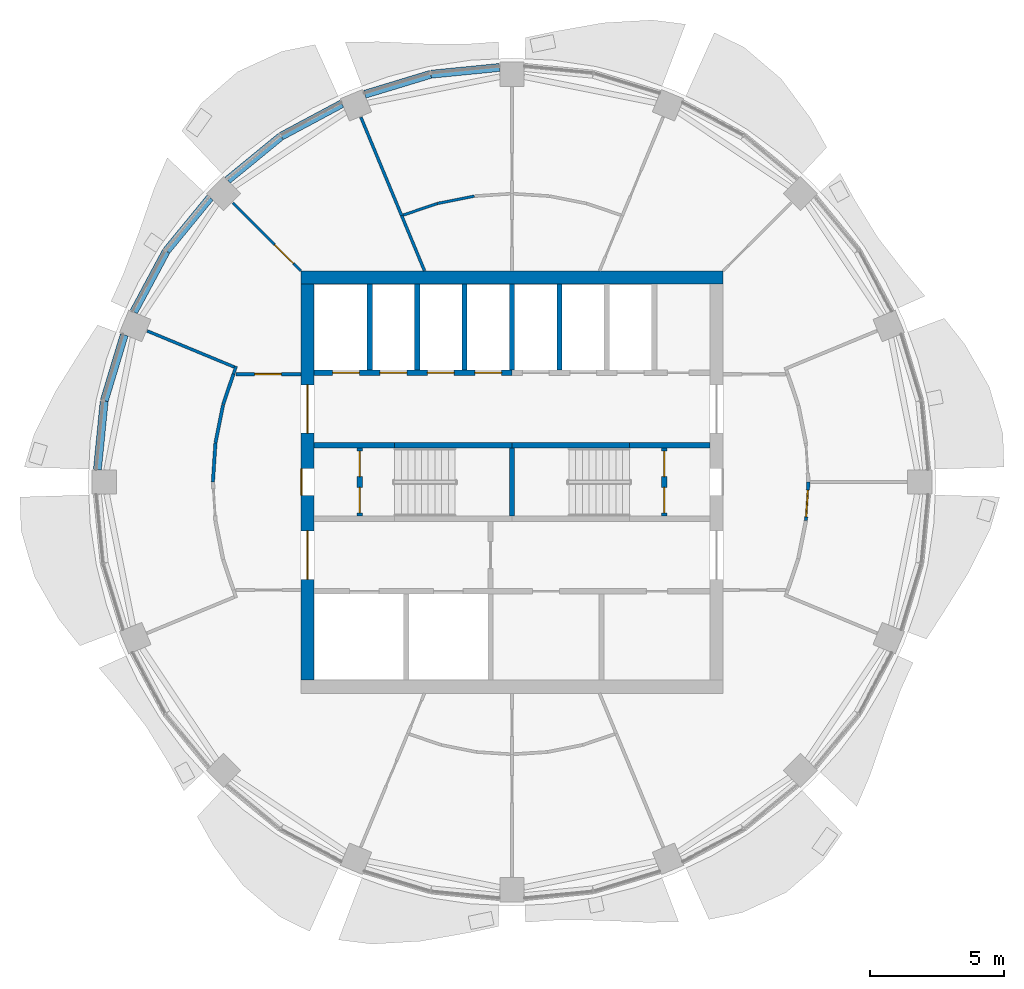
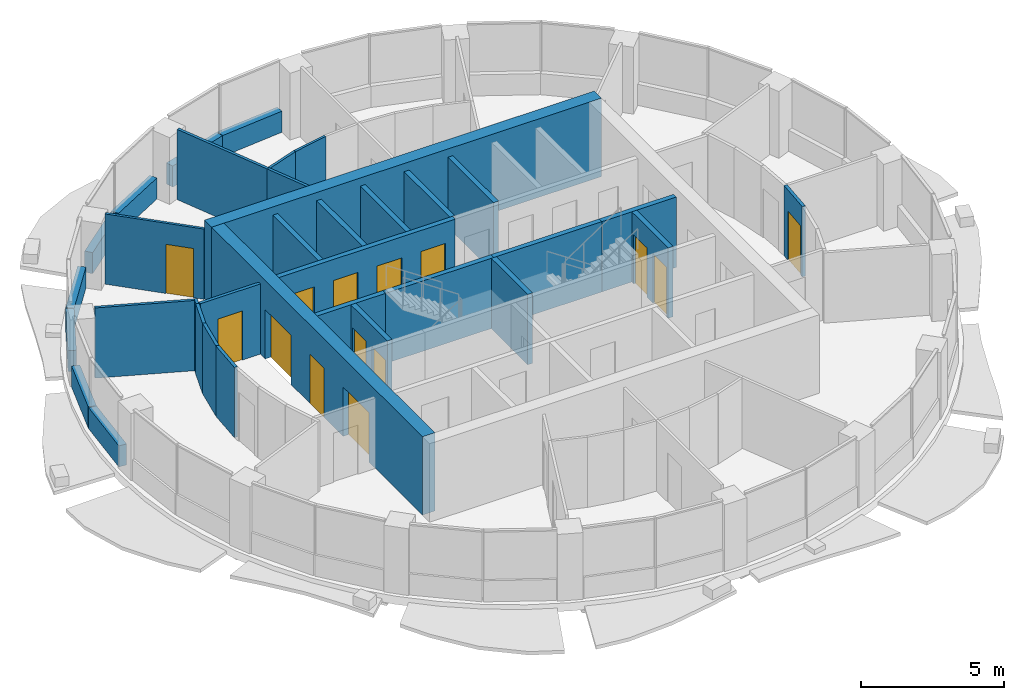
# One storey, part 8 of 14: 35 walls, 14 doors, 14 openings.
"""IFC4 building model written with IfcOpenShell, lengths in metres."""

from ifc_helpers import new_model, si_unit, direction, frame, frame_2d, origin, place, context, subcontext, project, spatial, rectangle, extrude, material, layer, layer_set, type_object, element, fill, save


model = new_model("IFC4")

# Units and contexts
model_context = context("Model", 3, precision=1e-05, world=origin(), true_north=direction((0.0, 1.0)))
body_context = subcontext(model_context, "Body", "Model", "MODEL_VIEW")
ifc_project = project(units=[si_unit("LENGTHUNIT", "METRE"), si_unit("AREAUNIT", "SQUARE_METRE"), si_unit("VOLUMEUNIT", "CUBIC_METRE"), si_unit("PLANEANGLEUNIT", "RADIAN"), si_unit("MASSUNIT", "GRAM", prefix="KILO")], contexts=[model_context])

# Site, building, storey
site_placement = place(None, origin())
site = spatial("IfcSite", under=ifc_project, at=site_placement, CompositionType="ELEMENT")
building_placement = place(site_placement, origin())
building = spatial("IfcBuilding", under=site, at=building_placement, Name="Polderwave Tower", CompositionType="ELEMENT")
storey_placement = place(building_placement, frame((0.0, 0.0, 221.14990234375)))
storey = spatial("IfcBuildingStorey", under=building, at=storey_placement, Name="L60", CompositionType="ELEMENT", Elevation=221.14990234375)

# Wall
ifc_material_1 = material(Name="Concrete C60/75", Category="concrete")
ifc_layer_1 = layer(ifc_material_1, 0.5)
ifc_layer_set_1 = layer_set([ifc_layer_1], Name="CORE WALL 500 C60/75")
wall_type_1 = type_object("IfcWallType", Name="CORE WALL 500 C60/75", PredefinedType="SHEAR", material=ifc_layer_set_1)
wall_1_placement = place(storey_placement, frame((-7.8740234375, 7.6240234375, 0.0), z_axis=(0.0, 0.0, 1.0), x_axis=(1.0, 0.0, 0.0)))
element("IfcWall", 1, at=wall_1_placement, inside=storey, type_object=wall_type_1, Name="ST-CORE-L60-N", PredefinedType="SHEAR", context=body_context, shape_type="SweptSolid", body=[
    extrude(rectangle(XDim=15.748046875, YDim=0.5, at=frame_2d((7.8740234375, 0.0))), origin(), (0.0, 0.0, 1.0), 3.35009765625),
])

# Wall, openings, doors
wall_2_placement = place(storey_placement, frame((-7.6240234375, -7.3740234375, 0.0), z_axis=(0.0, 0.0, 1.0), x_axis=(0.0, 1.0, 0.0)))
wall_2 = element("IfcWall", 2, at=wall_2_placement, inside=storey, type_object=wall_type_1, Name="ST-CORE-L60-W", PredefinedType="SHEAR", context=body_context, shape_type="SweptSolid", body=[
    extrude(rectangle(XDim=14.748046875, YDim=0.5, at=frame_2d((7.3740234375, 0.0))), origin(), (0.0, 0.0, 1.0), 3.35009765625),
])
opening_1_placement = place(wall_2_placement, frame((6.8740234375, 0.0, 0.0)))
opening_1 = element("IfcOpeningElement", 3, at=opening_1_placement, cuts=wall_2, Name="Opening L60-D18", PredefinedType="OPENING", context=body_context, shape_type="SweptSolid", body=[
    extrude(rectangle(XDim=1.0, YDim=2.10009765625, at=frame_2d((0.5, 1.050048828125))), frame((0.0, 0.260009765625, 0.0), z_axis=(0.0, -1.0, 0.0), x_axis=(1.0, 0.0, 0.0)), (0.0, 0.0, 1.0), 0.52001953125),
])
opening_2_placement = place(wall_2_placement, frame((3.74951171875, 0.0, 0.0)))
opening_2 = element("IfcOpeningElement", 4, at=opening_2_placement, cuts=wall_2, Name="Opening L60-D19", PredefinedType="OPENING", context=body_context, shape_type="SweptSolid", body=[
    extrude(rectangle(XDim=1.800048828125, YDim=2.10009765625, at=frame_2d((0.89990234375, 1.050048828125))), frame((0.0, 0.260009765625, 0.0), z_axis=(0.0, -1.0, 0.0), x_axis=(1.0, 0.0, 0.0)), (0.0, 0.0, 1.0), 0.52001953125),
])
opening_3_placement = place(wall_2_placement, frame((9.198486328125, 0.0, 0.0)))
opening_3 = element("IfcOpeningElement", 5, at=opening_3_placement, cuts=wall_2, Name="Opening L60-D20", PredefinedType="OPENING", context=body_context, shape_type="SweptSolid", body=[
    extrude(rectangle(XDim=1.800048828125, YDim=2.10009765625, at=frame_2d((0.89990234375, 1.050048828125))), frame((0.0, 0.260009765625, 0.0), z_axis=(0.0, -1.0, 0.0), x_axis=(1.0, 0.0, 0.0)), (0.0, 0.0, 1.0), 0.52001953125),
])
ifc_material_2 = material(Name="Steel fire door", Category="steel")
door_type_1 = type_object("IfcDoorType", Name="Lobby entry door pair 1800", OperationType="DOUBLE_DOOR_SINGLE_SWING", PredefinedType="DOOR", material=ifc_material_2)
door_1_placement = place(opening_2_placement, origin())
door_1 = element("IfcDoor", 6, at=door_1_placement, inside=storey, type_object=door_type_1, Name="Fire-fighting lobby entry door", OperationType="DOUBLE_DOOR_SINGLE_SWING", OverallHeight=2.10009765625, OverallWidth=1.800048828125, PredefinedType="DOOR", context=body_context, shape_type="SweptSolid", body=[
    extrude(rectangle(XDim=1.800048828125, YDim=2.10009765625, at=frame_2d((0.89990234375, 1.050048828125))), frame((0.0, 0.02490234375, 0.0), z_axis=(0.0, -1.0, 0.0), x_axis=(1.0, 0.0, 0.0)), (0.0, 0.0, 1.0), 0.050048828125),
])
fill(opening_2, door_1)
door_2_placement = place(opening_3_placement, origin())
door_2 = element("IfcDoor", 7, at=door_2_placement, inside=storey, type_object=door_type_1, Name="North lobby entry door", OperationType="DOUBLE_DOOR_SINGLE_SWING", OverallHeight=2.10009765625, OverallWidth=1.800048828125, PredefinedType="DOOR", context=body_context, shape_type="SweptSolid", body=[
    extrude(rectangle(XDim=1.800048828125, YDim=2.10009765625, at=frame_2d((0.89990234375, 1.050048828125))), frame((0.0, 0.02490234375, 0.0), z_axis=(0.0, -1.0, 0.0), x_axis=(1.0, 0.0, 0.0)), (0.0, 0.0, 1.0), 0.050048828125),
])
fill(opening_3, door_2)
door_type_2 = type_object("IfcDoorType", Name="Stair door 1000", OperationType="NOTDEFINED", PredefinedType="DOOR", material=ifc_material_2)
door_3_placement = place(opening_1_placement, origin())
door_3 = element("IfcDoor", 8, at=door_3_placement, inside=storey, type_object=door_type_2, Name="Stair A entry door", OperationType="SINGLE_SWING_RIGHT", OverallHeight=2.10009765625, OverallWidth=1.0, PredefinedType="DOOR", context=body_context, shape_type="SweptSolid", body=[
    extrude(rectangle(XDim=1.0, YDim=2.10009765625, at=frame_2d((0.5, 1.050048828125))), frame((0.0, 0.25, 0.0), z_axis=(0.0, -1.0, 0.0), x_axis=(1.0, 0.0, 0.0)), (0.0, 0.0, 1.0), 0.050048828125),
])
fill(opening_1, door_3)

# Walls
ifc_material_3 = material(Name="Concrete C50/60 (board-marked)", Category="concrete")
ifc_layer_2 = layer(ifc_material_3, 0.300048828125)
ifc_layer_set_2 = layer_set([ifc_layer_2], Name="Concrete spandrel upstand C50/60")
wall_type_2 = type_object("IfcWallType", Name="Concrete spandrel upstand C50/60", PredefinedType="SOLIDWALL", material=ifc_layer_set_2)
wall_3_placement = place(storey_placement, frame((-0.4638671875, 15.45458984375, 0.0), z_axis=(0.0, 0.0, 1.0), x_axis=(-0.995173293352, -0.09813315545, 0.0)))
element("IfcWall", 9, at=wall_3_placement, inside=storey, type_object=wall_type_2, Name="Spandrel L60 5a", PredefinedType="SOLIDWALL", context=body_context, shape_type="SweptSolid", body=[
    extrude(rectangle(XDim=2.5576171875, YDim=0.300048828125, at=frame_2d((1.27880859375, 0.0))), origin(), (0.0, 0.0, 1.0), 0.900146484375),
])
wall_4_placement = place(storey_placement, frame((-3.038330078125, 15.197509765625, 0.0), z_axis=(0.0, 0.0, 1.0), x_axis=(-0.956960147557, -0.290219358397, 0.0)))
element("IfcWall", 10, at=wall_4_placement, inside=storey, type_object=wall_type_2, Name="Spandrel L60 5b", PredefinedType="SOLIDWALL", context=body_context, shape_type="SweptSolid", body=[
    extrude(rectangle(XDim=2.557373046875, YDim=0.300048828125, at=frame_2d((1.27880859375, 0.0))), origin(), (0.0, 0.0, 1.0), 0.900146484375),
])
wall_5_placement = place(storey_placement, frame((-6.34326171875, 14.099853515625, 0.0), z_axis=(0.0, 0.0, 1.0), x_axis=(-0.881810499649, -0.471603904468, 0.0)))
element("IfcWall", 11, at=wall_5_placement, inside=storey, type_object=wall_type_2, Name="Spandrel L60 6a", PredefinedType="SOLIDWALL", context=body_context, shape_type="SweptSolid", body=[
    extrude(rectangle(XDim=2.556884765625, YDim=0.300048828125, at=frame_2d((1.2783203125, 0.0))), origin(), (0.0, 0.0, 1.0), 0.900146484375),
])
for number, where, z_axis, x_axis, name in (
    (12, (-8.62255859375, 12.87744140625, 0.0), (0.0, 0.0, 1.0), (-0.773259366149, -0.634089861662, 0.0), "Spandrel L60 6b"),
    (13, (-11.255615234375, 10.600341796875, 0.0), (0.0, 0.0, 1.0), (-0.634089861662, -0.773259366149, 0.0), "Spandrel L60 7a"),
):
    element("IfcWall", number, at=place(storey_placement, frame(where, z_axis=z_axis, x_axis=x_axis)), inside=storey, type_object=wall_type_2, Name=name, PredefinedType="SOLIDWALL", context=body_context, shape_type="SweptSolid", body=[
        extrude(rectangle(XDim=2.5576171875, YDim=0.300048828125, at=frame_2d((1.27880859375, 0.0))), origin(), (0.0, 0.0, 1.0), 0.900146484375),
    ])
wall_6_placement = place(storey_placement, frame((-12.89404296875, 8.597900390625, 0.0), z_axis=(0.0, 0.0, 1.0), x_axis=(-0.471603904468, -0.881810499649, 0.0)))
element("IfcWall", 14, at=wall_6_placement, inside=storey, type_object=wall_type_2, Name="Spandrel L60 7b", PredefinedType="SOLIDWALL", context=body_context, shape_type="SweptSolid", body=[
    extrude(rectangle(XDim=2.556884765625, YDim=0.300048828125, at=frame_2d((1.2783203125, 0.0))), origin(), (0.0, 0.0, 1.0), 0.900146484375),
])
wall_7_placement = place(storey_placement, frame((-14.455322265625, 5.485595703125, 0.0), z_axis=(0.0, 0.0, 1.0), x_axis=(-0.290219358397, -0.956960147557, 0.0)))
element("IfcWall", 15, at=wall_7_placement, inside=storey, type_object=wall_type_2, Name="Spandrel L60 8a", PredefinedType="SOLIDWALL", context=body_context, shape_type="SweptSolid", body=[
    extrude(rectangle(XDim=2.557373046875, YDim=0.300048828125, at=frame_2d((1.27880859375, 0.0))), origin(), (0.0, 0.0, 1.0), 0.900146484375),
])
wall_8_placement = place(storey_placement, frame((-15.20361328125, 3.009033203125, 0.0), z_axis=(0.0, 0.0, 1.0), x_axis=(-0.09813315545, -0.995173293352, 0.0)))
element("IfcWall", 16, at=wall_8_placement, inside=storey, type_object=wall_type_2, Name="Spandrel L60 8b", PredefinedType="SOLIDWALL", context=body_context, shape_type="SweptSolid", body=[
    extrude(rectangle(XDim=2.5576171875, YDim=0.300048828125, at=frame_2d((1.27880859375, 0.0))), origin(), (0.0, 0.0, 1.0), 0.900146484375),
])

# Wall, openings, doors
ifc_material_4 = material(Name="Gypsum board partition")
ifc_layer_3 = layer(ifc_material_4, 0.199951171875)
ifc_layer_set_3 = layer_set([ifc_layer_3], Name="Core room partition 200")
wall_type_3 = type_object("IfcWallType", Name="Core room partition 200", PredefinedType="PARTITIONING", material=ifc_layer_set_3)
wall_9_placement = place(storey_placement, frame((-5.674072265625, -1.27490234375, 0.0), z_axis=(0.0, 0.0, 1.0), x_axis=(0.0, 1.0, 0.0)))
wall_9 = element("IfcWall", 17, at=wall_9_placement, inside=storey, type_object=wall_type_3, Name="L60 smoke lobby wall A", PredefinedType="PARTITIONING", context=body_context, shape_type="SweptSolid", body=[
    extrude(rectangle(XDim=2.5498046875, YDim=0.199951171875, at=frame_2d((1.27490234375, 0.0))), origin(), (0.0, 0.0, 1.0), 3.0),
])
opening_4_placement = place(wall_9_placement, frame((0.125, 0.0, 0.0)))
opening_4 = element("IfcOpeningElement", 18, at=opening_4_placement, cuts=wall_9, Name="Opening L60-D10", PredefinedType="OPENING", context=body_context, shape_type="SweptSolid", body=[
    extrude(rectangle(XDim=0.949951171875, YDim=2.10009765625, at=frame_2d((0.47509765625, 1.050048828125))), frame((0.0, 0.10986328125, 0.0), z_axis=(0.0, -1.0, 0.0), x_axis=(1.0, 0.0, 0.0)), (0.0, 0.0, 1.0), 0.219970703125),
])
opening_5_placement = place(wall_9_placement, frame((1.47509765625, 0.0, 0.0)))
opening_5 = element("IfcOpeningElement", 19, at=opening_5_placement, cuts=wall_9, Name="Opening L60-D11", PredefinedType="OPENING", context=body_context, shape_type="SweptSolid", body=[
    extrude(rectangle(XDim=0.949951171875, YDim=2.10009765625, at=frame_2d((0.47509765625, 1.050048828125))), frame((0.0, 0.10986328125, 0.0), z_axis=(0.0, -1.0, 0.0), x_axis=(1.0, 0.0, 0.0)), (0.0, 0.0, 1.0), 0.219970703125),
])
door_type_3 = type_object("IfcDoorType", Name="Smoke lobby door 950", OperationType="NOTDEFINED", PredefinedType="DOOR", material=ifc_material_2)
door_4_placement = place(opening_4_placement, origin())
door_4 = element("IfcDoor", 20, at=door_4_placement, inside=storey, type_object=door_type_3, Name="Stair A smoke lobby inner door", OperationType="SINGLE_SWING_LEFT", OverallHeight=2.10009765625, OverallWidth=0.949951171875, PredefinedType="DOOR", context=body_context, shape_type="SweptSolid", body=[
    extrude(rectangle(XDim=0.949951171875, YDim=2.10009765625, at=frame_2d((0.47509765625, 1.050048828125))), frame((0.0, 0.02490234375, 0.0), z_axis=(0.0, -1.0, 0.0), x_axis=(1.0, 0.0, 0.0)), (0.0, 0.0, 1.0), 0.050048828125),
])
fill(opening_4, door_4)
door_5_placement = place(opening_5_placement, origin())
door_5 = element("IfcDoor", 21, at=door_5_placement, inside=storey, type_object=door_type_3, Name="Stair A smoke lobby inner door", OperationType="SINGLE_SWING_RIGHT", OverallHeight=2.10009765625, OverallWidth=0.949951171875, PredefinedType="DOOR", context=body_context, shape_type="SweptSolid", body=[
    extrude(rectangle(XDim=0.949951171875, YDim=2.10009765625, at=frame_2d((0.47509765625, 1.050048828125))), frame((0.0, 0.02490234375, 0.0), z_axis=(0.0, -1.0, 0.0), x_axis=(1.0, 0.0, 0.0)), (0.0, 0.0, 1.0), 0.050048828125),
])
fill(opening_5, door_5)

wall_10_placement = place(storey_placement, frame((5.674072265625, -1.27490234375, 0.0), z_axis=(0.0, 0.0, 1.0), x_axis=(0.0, 1.0, 0.0)))
wall_10 = element("IfcWall", 22, at=wall_10_placement, inside=storey, type_object=wall_type_3, Name="L60 smoke lobby wall B", PredefinedType="PARTITIONING", context=body_context, shape_type="SweptSolid", body=[
    extrude(rectangle(XDim=2.5498046875, YDim=0.199951171875, at=frame_2d((1.27490234375, 0.0))), origin(), (0.0, 0.0, 1.0), 3.0),
])
opening_6_placement = place(wall_10_placement, frame((0.125, 0.0, 0.0)))
opening_6 = element("IfcOpeningElement", 23, at=opening_6_placement, cuts=wall_10, Name="Opening L60-D12", PredefinedType="OPENING", context=body_context, shape_type="SweptSolid", body=[
    extrude(rectangle(XDim=0.949951171875, YDim=2.10009765625, at=frame_2d((0.47509765625, 1.050048828125))), frame((0.0, 0.10986328125, 0.0), z_axis=(0.0, -1.0, 0.0), x_axis=(1.0, 0.0, 0.0)), (0.0, 0.0, 1.0), 0.219970703125),
])
opening_7_placement = place(wall_10_placement, frame((1.47509765625, 0.0, 0.0)))
opening_7 = element("IfcOpeningElement", 24, at=opening_7_placement, cuts=wall_10, Name="Opening L60-D13", PredefinedType="OPENING", context=body_context, shape_type="SweptSolid", body=[
    extrude(rectangle(XDim=0.949951171875, YDim=2.10009765625, at=frame_2d((0.47509765625, 1.050048828125))), frame((0.0, 0.10986328125, 0.0), z_axis=(0.0, -1.0, 0.0), x_axis=(1.0, 0.0, 0.0)), (0.0, 0.0, 1.0), 0.219970703125),
])
door_6_placement = place(opening_6_placement, frame((0.949951171875, 0.0, 0.0), z_axis=(0.0, 0.0, 1.0), x_axis=(-1.0, 0.0, 0.0)))
door_6 = element("IfcDoor", 25, at=door_6_placement, inside=storey, type_object=door_type_3, Name="Stair B smoke lobby inner door", OperationType="SINGLE_SWING_RIGHT", OverallHeight=2.10009765625, OverallWidth=0.949951171875, PredefinedType="DOOR", context=body_context, shape_type="SweptSolid", body=[
    extrude(rectangle(XDim=0.949951171875, YDim=2.10009765625, at=frame_2d((0.47509765625, 1.050048828125))), frame((0.0, 0.02490234375, 0.0), z_axis=(0.0, -1.0, 0.0), x_axis=(1.0, 0.0, 0.0)), (0.0, 0.0, 1.0), 0.050048828125),
])
fill(opening_6, door_6)
door_7_placement = place(opening_7_placement, frame((0.949951171875, 0.0, 0.0), z_axis=(0.0, 0.0, 1.0), x_axis=(-1.0, 0.0, 0.0)))
door_7 = element("IfcDoor", 26, at=door_7_placement, inside=storey, type_object=door_type_3, Name="Stair B smoke lobby inner door", OperationType="SINGLE_SWING_LEFT", OverallHeight=2.10009765625, OverallWidth=0.949951171875, PredefinedType="DOOR", context=body_context, shape_type="SweptSolid", body=[
    extrude(rectangle(XDim=0.949951171875, YDim=2.10009765625, at=frame_2d((0.47509765625, 1.050048828125))), frame((0.0, 0.02490234375, 0.0), z_axis=(0.0, -1.0, 0.0), x_axis=(1.0, 0.0, 0.0)), (0.0, 0.0, 1.0), 0.050048828125),
])
fill(opening_7, door_7)

ifc_material_5 = material(Name="Concrete C50/60", Category="concrete")
ifc_layer_4 = layer(ifc_material_5, 0.199951171875)
ifc_layer_set_4 = layer_set([ifc_layer_4], Name="Core web wall 200")
wall_type_4 = type_object("IfcWallType", Name="Core web wall 200", PredefinedType="SHEAR", material=ifc_layer_set_4)
wall_11_placement = place(storey_placement, frame((-7.3740234375, 4.073974609375, 0.0), z_axis=(0.0, 0.0, 1.0), x_axis=(1.0, 0.0, 0.0)))
wall_11 = element("IfcWall", 27, at=wall_11_placement, inside=storey, type_object=wall_type_4, Name="L60 north front wall 1", PredefinedType="SHEAR", context=body_context, shape_type="SweptSolid", body=[
    extrude(rectangle(XDim=7.3740234375, YDim=0.199951171875, at=frame_2d((3.68701171875, 0.0))), origin(), (0.0, 0.0, 1.0), 3.0),
])
opening_8_placement = place(wall_11_placement, frame((0.68408203125, 0.0, 0.0)))
opening_8 = element("IfcOpeningElement", 28, at=opening_8_placement, cuts=wall_11, Name="Opening L60-D03", PredefinedType="OPENING", context=body_context, shape_type="SweptSolid", body=[
    extrude(rectangle(XDim=1.0, YDim=2.10009765625, at=frame_2d((0.5, 1.050048828125))), frame((0.0, 0.10986328125, 0.0), z_axis=(0.0, -1.0, 0.0), x_axis=(1.0, 0.0, 0.0)), (0.0, 0.0, 1.0), 0.219970703125),
])
opening_9_placement = place(wall_11_placement, frame((2.45263671875, 0.0, 0.0)))
opening_9 = element("IfcOpeningElement", 29, at=opening_9_placement, cuts=wall_11, Name="Opening L60-D04", PredefinedType="OPENING", context=body_context, shape_type="SweptSolid", body=[
    extrude(rectangle(XDim=1.0, YDim=2.10009765625, at=frame_2d((0.5, 1.050048828125))), frame((0.0, 0.10986328125, 0.0), z_axis=(0.0, -1.0, 0.0), x_axis=(1.0, 0.0, 0.0)), (0.0, 0.0, 1.0), 0.219970703125),
])
opening_10_placement = place(wall_11_placement, frame((4.22119140625, 0.0, 0.0)))
opening_10 = element("IfcOpeningElement", 30, at=opening_10_placement, cuts=wall_11, Name="Opening L60-D05", PredefinedType="OPENING", context=body_context, shape_type="SweptSolid", body=[
    extrude(rectangle(XDim=1.0, YDim=2.10009765625, at=frame_2d((0.5, 1.050048828125))), frame((0.0, 0.10986328125, 0.0), z_axis=(0.0, -1.0, 0.0), x_axis=(1.0, 0.0, 0.0)), (0.0, 0.0, 1.0), 0.219970703125),
])
opening_11_placement = place(wall_11_placement, frame((5.98974609375, 0.0, 0.0)))
opening_11 = element("IfcOpeningElement", 31, at=opening_11_placement, cuts=wall_11, Name="Opening L60-D06", PredefinedType="OPENING", context=body_context, shape_type="SweptSolid", body=[
    extrude(rectangle(XDim=1.0, YDim=2.10009765625, at=frame_2d((0.5, 1.050048828125))), frame((0.0, 0.10986328125, 0.0), z_axis=(0.0, -1.0, 0.0), x_axis=(1.0, 0.0, 0.0)), (0.0, 0.0, 1.0), 0.219970703125),
])
ifc_material_6 = material(Name="Stainless steel", Category="steel")
door_type_4 = type_object("IfcDoorType", Name="Lift landing door 1000", OperationType="DOUBLE_DOOR_SLIDING", PredefinedType="DOOR", material=ifc_material_6)
door_8_placement = place(opening_8_placement, frame((1.0, 0.0, 0.0), z_axis=(0.0, 0.0, 1.0), x_axis=(-1.0, 0.0, 0.0)))
door_8 = element("IfcDoor", 32, at=door_8_placement, inside=storey, type_object=door_type_4, Name="Lift HL1 landing door", OperationType="DOUBLE_DOOR_SLIDING", OverallHeight=2.10009765625, OverallWidth=1.0, PredefinedType="DOOR", context=body_context, shape_type="SweptSolid", body=[
    extrude(rectangle(XDim=1.0, YDim=2.10009765625, at=frame_2d((0.5, 1.050048828125))), frame((0.0, 0.02490234375, 0.0), z_axis=(0.0, -1.0, 0.0), x_axis=(1.0, 0.0, 0.0)), (0.0, 0.0, 1.0), 0.050048828125),
])
fill(opening_8, door_8)
door_9_placement = place(opening_9_placement, frame((1.0, 0.0, 0.0), z_axis=(0.0, 0.0, 1.0), x_axis=(-1.0, 0.0, 0.0)))
door_9 = element("IfcDoor", 33, at=door_9_placement, inside=storey, type_object=door_type_4, Name="Lift HL2 landing door", OperationType="DOUBLE_DOOR_SLIDING", OverallHeight=2.10009765625, OverallWidth=1.0, PredefinedType="DOOR", context=body_context, shape_type="SweptSolid", body=[
    extrude(rectangle(XDim=1.0, YDim=2.10009765625, at=frame_2d((0.5, 1.050048828125))), frame((0.0, 0.02490234375, 0.0), z_axis=(0.0, -1.0, 0.0), x_axis=(1.0, 0.0, 0.0)), (0.0, 0.0, 1.0), 0.050048828125),
])
fill(opening_9, door_9)
door_10_placement = place(opening_10_placement, frame((1.0, 0.0, 0.0), z_axis=(0.0, 0.0, 1.0), x_axis=(-1.0, 0.0, 0.0)))
door_10 = element("IfcDoor", 34, at=door_10_placement, inside=storey, type_object=door_type_4, Name="Lift HL3 landing door", OperationType="DOUBLE_DOOR_SLIDING", OverallHeight=2.10009765625, OverallWidth=1.0, PredefinedType="DOOR", context=body_context, shape_type="SweptSolid", body=[
    extrude(rectangle(XDim=1.0, YDim=2.10009765625, at=frame_2d((0.5, 1.050048828125))), frame((0.0, 0.02490234375, 0.0), z_axis=(0.0, -1.0, 0.0), x_axis=(1.0, 0.0, 0.0)), (0.0, 0.0, 1.0), 0.050048828125),
])
fill(opening_10, door_10)
door_11_placement = place(opening_11_placement, frame((1.0, 0.0, 0.0), z_axis=(0.0, 0.0, 1.0), x_axis=(-1.0, 0.0, 0.0)))
door_11 = element("IfcDoor", 35, at=door_11_placement, inside=storey, type_object=door_type_4, Name="Lift HL4 landing door", OperationType="DOUBLE_DOOR_SLIDING", OverallHeight=2.10009765625, OverallWidth=1.0, PredefinedType="DOOR", context=body_context, shape_type="SweptSolid", body=[
    extrude(rectangle(XDim=1.0, YDim=2.10009765625, at=frame_2d((0.5, 1.050048828125))), frame((0.0, 0.02490234375, 0.0), z_axis=(0.0, -1.0, 0.0), x_axis=(1.0, 0.0, 0.0)), (0.0, 0.0, 1.0), 0.050048828125),
])
fill(opening_11, door_11)

# Walls
wall_12_placement = place(storey_placement, frame((-7.3740234375, 1.375, 0.0), z_axis=(0.0, 0.0, 1.0), x_axis=(1.0, 0.0, 0.0)))
element("IfcWall", 36, at=wall_12_placement, inside=storey, type_object=wall_type_4, Name="L60 north stair wall 1", PredefinedType="SHEAR", context=body_context, shape_type="SweptSolid", body=[
    extrude(rectangle(XDim=3.0, YDim=0.199951171875, at=frame_2d((1.5, 0.0))), origin(), (0.0, 0.0, 1.0), 3.0),
])
for number, where, z_axis, x_axis, name in (
    (37, (-4.3740234375, 1.375, 0.0), (0.0, 0.0, 1.0), (1.0, 0.0, 0.0), "L60 north stair wall 2"),
    (38, (0.0, 1.375, 0.0), (0.0, 0.0, 1.0), (1.0, 0.0, 0.0), "L60 north stair wall 3"),
):
    element("IfcWall", number, at=place(storey_placement, frame(where, z_axis=z_axis, x_axis=x_axis)), inside=storey, type_object=wall_type_4, Name=name, PredefinedType="SHEAR", context=body_context, shape_type="SweptSolid", body=[
        extrude(rectangle(XDim=4.3740234375, YDim=0.199951171875, at=frame_2d((2.18701171875, 0.0))), origin(), (0.0, 0.0, 1.0), 3.0),
    ])
wall_13_placement = place(storey_placement, frame((4.3740234375, 1.375, 0.0), z_axis=(0.0, 0.0, 1.0), x_axis=(1.0, 0.0, 0.0)))
element("IfcWall", 39, at=wall_13_placement, inside=storey, type_object=wall_type_4, Name="L60 north stair wall 4", PredefinedType="SHEAR", context=body_context, shape_type="SweptSolid", body=[
    extrude(rectangle(XDim=3.0, YDim=0.199951171875, at=frame_2d((1.5, 0.0))), origin(), (0.0, 0.0, 1.0), 3.0),
])
wall_14_placement = place(storey_placement, frame((0.0, -1.27490234375, 0.0), z_axis=(0.0, 0.0, 1.0), x_axis=(0.0, 1.0, 0.0)))
element("IfcWall", 40, at=wall_14_placement, inside=storey, type_object=wall_type_4, Name="L60 wall between the stairs", PredefinedType="SHEAR", context=body_context, shape_type="SweptSolid", body=[
    extrude(rectangle(XDim=2.5498046875, YDim=0.199951171875, at=frame_2d((1.27490234375, 0.0))), origin(), (0.0, 0.0, 1.0), 3.0),
])

# Wall, opening, door
ifc_material_7 = material(Name="Fire-resisting board on steel studs", Category="steel")
ifc_layer_5 = layer(ifc_material_7, 0.125)
ifc_layer_set_5 = layer_set([ifc_layer_5], Name="Corridor wall 125 mm EI 60")
wall_type_5 = type_object("IfcWallType", Name="Corridor wall 125 mm EI 60", PredefinedType="PARTITIONING", material=ifc_layer_set_5)
wall_15_placement = place(storey_placement, frame((11.050048828125, 0.0, 0.0), z_axis=(0.0, 0.0, 1.0), x_axis=(-0.065383473363, -0.997860211358, 0.0)))
wall_15 = element("IfcWall", 41, at=wall_15_placement, inside=storey, type_object=wall_type_5, Name="IN-L60-W008", PredefinedType="PARTITIONING", context=body_context, shape_type="SweptSolid", body=[
    extrude(rectangle(XDim=1.44140625, YDim=0.125, at=frame_2d((0.720703125, 0.0))), origin(), (0.0, 0.0, 1.0), 3.0),
])
opening_12_placement = place(wall_15_placement, frame((0.300048828125, 0.0, 0.0)))
opening_12 = element("IfcOpeningElement", 42, at=opening_12_placement, cuts=wall_15, Name="Opening L60-D53", PredefinedType="OPENING", context=body_context, shape_type="SweptSolid", body=[
    extrude(rectangle(XDim=1.0, YDim=2.10009765625, at=frame_2d((0.5, 1.050048828125))), frame((0.0, 0.072509765625, 0.0), z_axis=(0.0, -1.0, 0.0), x_axis=(1.0, 0.0, 0.0)), (0.0, 0.0, 1.0), 0.14501953125),
])
ifc_material_8 = material(Name="Timber fire door leaf", Category="wood")
door_type_5 = type_object("IfcDoorType", Name="Fire door FD30S 1000 x 2100", OperationType="NOTDEFINED", PredefinedType="DOOR", material=ifc_material_8)
door_12_placement = place(opening_12_placement, origin())
door_12 = element("IfcDoor", 43, at=door_12_placement, inside=storey, type_object=door_type_5, Name="Door L60-D53", OperationType="SINGLE_SWING_RIGHT", OverallHeight=2.10009765625, OverallWidth=1.0, PredefinedType="DOOR", context=body_context, shape_type="SweptSolid", body=[
    extrude(rectangle(XDim=1.0, YDim=2.10009765625, at=frame_2d((0.5, 1.050048828125))), frame((0.0, 0.02490234375, 0.0), z_axis=(0.0, -1.0, 0.0), x_axis=(1.0, 0.0, 0.0)), (0.0, 0.0, 1.0), 0.050048828125),
])
fill(opening_12, door_12)

wall_16_placement = place(storey_placement, frame((-10.29638671875, 4.0244140625, 0.0), z_axis=(0.0, 0.0, 1.0), x_axis=(1.0, 0.0, 0.0)))
wall_16 = element("IfcWall", 44, at=wall_16_placement, inside=storey, type_object=wall_type_5, Name="IN-L60-W009", PredefinedType="PARTITIONING", context=body_context, shape_type="SweptSolid", body=[
    extrude(rectangle(XDim=2.42236328125, YDim=0.125, at=frame_2d((1.211181640625, 0.0))), origin(), (0.0, 0.0, 1.0), 3.0),
])
opening_13_placement = place(wall_16_placement, frame((0.699951171875, 0.0, 0.0)))
opening_13 = element("IfcOpeningElement", 45, at=opening_13_placement, cuts=wall_16, Name="Opening L60-D54", PredefinedType="OPENING", context=body_context, shape_type="SweptSolid", body=[
    extrude(rectangle(XDim=1.0, YDim=2.10009765625, at=frame_2d((0.5, 1.050048828125))), frame((0.0, 0.072509765625, 0.0), z_axis=(0.0, -1.0, 0.0), x_axis=(1.0, 0.0, 0.0)), (0.0, 0.0, 1.0), 0.14501953125),
])
door_13_placement = place(opening_13_placement, origin())
door_13 = element("IfcDoor", 46, at=door_13_placement, inside=storey, type_object=door_type_5, Name="Door L60-D54", OperationType="SINGLE_SWING_LEFT", OverallHeight=2.10009765625, OverallWidth=1.0, PredefinedType="DOOR", context=body_context, shape_type="SweptSolid", body=[
    extrude(rectangle(XDim=1.0, YDim=2.10009765625, at=frame_2d((0.5, 1.050048828125))), frame((0.0, 0.02490234375, 0.0), z_axis=(0.0, -1.0, 0.0), x_axis=(1.0, 0.0, 0.0)), (0.0, 0.0, 1.0), 0.050048828125),
])
fill(opening_13, door_13)

# Walls
wall_17_placement = place(storey_placement, frame((-11.149658203125, 0.004150390625, 0.0), z_axis=(0.0, 0.0, 1.0), x_axis=(0.065312343013, 0.997864869534, 0.0)))
element("IfcWall", 47, at=wall_17_placement, inside=storey, type_object=wall_type_5, Name="IN-L60-W010", PredefinedType="PARTITIONING", context=body_context, shape_type="SweptSolid", body=[
    extrude(rectangle(XDim=1.450439453125, YDim=0.125, at=frame_2d((0.72509765625, 0.0))), origin(), (0.0, 0.0, 1.0), 3.0),
])
wall_18_placement = place(storey_placement, frame((-11.0537109375, 1.45947265625, 0.0), z_axis=(0.0, 0.0, 1.0), x_axis=(0.194950489496, 0.980813084459, 0.0)))
element("IfcWall", 48, at=wall_18_placement, inside=storey, type_object=wall_type_5, Name="IN-L60-W012", PredefinedType="PARTITIONING", context=body_context, shape_type="SweptSolid", body=[
    extrude(rectangle(XDim=1.4501953125, YDim=0.125, at=frame_2d((0.72509765625, 0.0))), origin(), (0.0, 0.0, 1.0), 3.0),
])
wall_19_placement = place(storey_placement, frame((-10.768798828125, 2.8896484375, 0.0), z_axis=(0.0, 0.0, 1.0), x_axis=(0.321479033524, 0.946916696972, 0.0)))
element("IfcWall", 49, at=wall_19_placement, inside=storey, type_object=wall_type_5, Name="IN-L60-W014", PredefinedType="PARTITIONING", context=body_context, shape_type="SweptSolid", body=[
    extrude(rectangle(XDim=1.198486328125, YDim=0.125, at=frame_2d((0.59912109375, 0.0))), origin(), (0.0, 0.0, 1.0), 3.0),
])
ifc_material_9 = material(Name="Plasterboard on steel studs", Category="steel")
ifc_layer_6 = layer(ifc_material_9, 0.10009765625)
ifc_layer_set_6 = layer_set([ifc_layer_6], Name="Partition 100 mm plasterboard on steel studs")
wall_type_6 = type_object("IfcWallType", Name="Partition 100 mm plasterboard on steel studs", PredefinedType="PARTITIONING", material=ifc_layer_set_6)
wall_20_placement = place(storey_placement, frame((-4.05859375, 9.950439453125, 0.0), z_axis=(0.0, 0.0, 1.0), x_axis=(0.946944164887, 0.321398115407, 0.0)))
element("IfcWall", 50, at=wall_20_placement, inside=storey, type_object=wall_type_6, Name="IN-L60-W028", PredefinedType="PARTITIONING", context=body_context, shape_type="SweptSolid", body=[
    extrude(rectangle(XDim=1.344482421875, YDim=0.10009765625, at=frame_2d((0.67236328125, 0.0))), origin(), (0.0, 0.0, 1.0), 3.0),
])
wall_21_placement = place(storey_placement, frame((-2.779052734375, 10.38427734375, 0.0), z_axis=(0.0, 0.0, 1.0), x_axis=(0.980761417594, 0.19521025014, 0.0)))
element("IfcWall", 51, at=wall_21_placement, inside=storey, type_object=wall_type_6, Name="IN-L60-W029", PredefinedType="PARTITIONING", context=body_context, shape_type="SweptSolid", body=[
    extrude(rectangle(XDim=1.3994140625, YDim=0.10009765625, at=frame_2d((0.69970703125, 0.0))), origin(), (0.0, 0.0, 1.0), 3.0),
])

# Wall, opening, door
wall_22_placement = place(storey_placement, frame((-10.40869140625, 10.40869140625, 0.0), z_axis=(0.0, 0.0, 1.0), x_axis=(0.707106781187, -0.707106781187, 0.0)))
wall_22 = element("IfcWall", 52, at=wall_22_placement, inside=storey, type_object=wall_type_6, Name="IN-L60-W033", PredefinedType="PARTITIONING", context=body_context, shape_type="SweptSolid", body=[
    extrude(rectangle(XDim=3.58447265625, YDim=0.10009765625, at=frame_2d((1.792236328125, 0.0))), origin(), (0.0, 0.0, 1.0), 3.0),
])
opening_14_placement = place(wall_22_placement, frame((2.199951171875, 0.0, 0.0)))
opening_14 = element("IfcOpeningElement", 53, at=opening_14_placement, cuts=wall_22, Name="Opening L60-D62", PredefinedType="OPENING", context=body_context, shape_type="SweptSolid", body=[
    extrude(rectangle(XDim=1.0, YDim=2.10009765625, at=frame_2d((0.5, 1.050048828125))), frame((0.0, 0.06005859375, 0.0), z_axis=(0.0, -1.0, 0.0), x_axis=(1.0, 0.0, 0.0)), (0.0, 0.0, 1.0), 0.1201171875),
])
ifc_material_10 = material(Name="Timber veneer door leaf", Category="wood")
door_type_6 = type_object("IfcDoorType", Name="Single door 1000 x 2100", OperationType="NOTDEFINED", PredefinedType="DOOR", material=ifc_material_10)
door_14_placement = place(opening_14_placement, origin())
door_14 = element("IfcDoor", 54, at=door_14_placement, inside=storey, type_object=door_type_6, Name="Door L60-D62", OperationType="SINGLE_SWING_RIGHT", OverallHeight=2.10009765625, OverallWidth=1.0, PredefinedType="DOOR", context=body_context, shape_type="SweptSolid", body=[
    extrude(rectangle(XDim=1.0, YDim=2.10009765625, at=frame_2d((0.5, 1.050048828125))), frame((0.0, 0.02490234375, 0.0), z_axis=(0.0, -1.0, 0.0), x_axis=(1.0, 0.0, 0.0)), (0.0, 0.0, 1.0), 0.050048828125),
])
fill(opening_14, door_14)

# Walls
ifc_material_11 = material(Name="Acoustic double plasterboard on steel studs", Category="steel")
ifc_layer_7 = layer(ifc_material_11, 0.110107421875)
ifc_layer_set_7 = layer_set([ifc_layer_7], Name="Partition 110 mm acoustic double board")
wall_type_7 = type_object("IfcWallType", Name="Partition 110 mm acoustic double board", PredefinedType="PARTITIONING", material=ifc_layer_set_7)
wall_23_placement = place(storey_placement, frame((-3.261474609375, 7.8740234375, 0.0), z_axis=(0.0, 0.0, 1.0), x_axis=(-0.382684189911, 0.923879218725, 0.0)))
element("IfcWall", 55, at=wall_23_placement, inside=storey, type_object=wall_type_7, Name="IN-L60-W031", PredefinedType="PARTITIONING", context=body_context, shape_type="SweptSolid", body=[
    extrude(rectangle(XDim=2.22705078125, YDim=0.110107421875, at=frame_2d((1.113525390625, 0.0))), origin(), (0.0, 0.0, 1.0), 3.0),
])
wall_24_placement = place(storey_placement, frame((-4.11376953125, 9.931640625, 0.0), z_axis=(0.0, 0.0, 1.0), x_axis=(-0.382675844596, 0.923882675432, 0.0)))
element("IfcWall", 56, at=wall_24_placement, inside=storey, type_object=wall_type_7, Name="IN-L60-W032", PredefinedType="PARTITIONING", context=body_context, shape_type="SweptSolid", body=[
    extrude(rectangle(XDim=3.97021484375, YDim=0.110107421875, at=frame_2d((1.985107421875, 0.0))), origin(), (0.0, 0.0, 1.0), 3.0),
])
wall_25_placement = place(storey_placement, frame((-10.383544921875, 4.0244140625, 0.0), z_axis=(0.0, 0.0, 1.0), x_axis=(0.320931919594, 0.947102266382, 0.0)))
element("IfcWall", 57, at=wall_25_placement, inside=storey, type_object=wall_type_7, Name="IN-L60-W034", PredefinedType="PARTITIONING", context=body_context, shape_type="SweptSolid", body=[
    extrude(rectangle(XDim=0.31103515625, YDim=0.110107421875, at=frame_2d((0.155517578125, 0.0))), origin(), (0.0, 0.0, 1.0), 3.0),
])
wall_26_placement = place(storey_placement, frame((-10.355712890625, 4.289306640625, 0.0), z_axis=(0.0, 0.0, 1.0), x_axis=(-0.923871065891, 0.382703871955, 0.0)))
element("IfcWall", 58, at=wall_26_placement, inside=storey, type_object=wall_type_7, Name="IN-L60-W035", PredefinedType="PARTITIONING", context=body_context, shape_type="SweptSolid", body=[
    extrude(rectangle(XDim=3.51123046875, YDim=0.110107421875, at=frame_2d((1.755615234375, 0.0))), origin(), (0.0, 0.0, 1.0), 3.0),
])
ifc_material_12 = material(Name="Gypsum shaft wall system")
ifc_layer_8 = layer(ifc_material_12, 0.199951171875)
ifc_layer_set_8 = layer_set([ifc_layer_8], Name="Shaft wall 200")
wall_type_8 = type_object("IfcWallType", Name="Shaft wall 200", PredefinedType="PARTITIONING", material=ifc_layer_set_8)
for number, where, z_axis, x_axis, name in (
    (59, (-5.305419921875, 4.174072265625, 0.0), (0.0, 0.0, 1.0), (0.0, 1.0, 0.0), "L60 lift shaft wall N1"),
    (60, (-3.537109375, 4.174072265625, 0.0), (0.0, 0.0, 1.0), (0.0, 1.0, 0.0), "L60 lift shaft wall N2"),
    (61, (-1.7685546875, 4.174072265625, 0.0), (0.0, 0.0, 1.0), (0.0, 1.0, 0.0), "L60 lift shaft wall N3"),
    (62, (0.0, 4.174072265625, 0.0), (0.0, 0.0, 1.0), (0.0, 1.0, 0.0), "L60 lift shaft wall N4"),
    (63, (1.7685546875, 4.174072265625, 0.0), (0.0, 0.0, 1.0), (0.0, 1.0, 0.0), "L60 lift shaft wall N5"),
):
    element("IfcWall", number, at=place(storey_placement, frame(where, z_axis=z_axis, x_axis=x_axis)), inside=storey, type_object=wall_type_8, Name=name, PredefinedType="PARTITIONING", context=body_context, shape_type="SweptSolid", body=[
        extrude(rectangle(XDim=3.199951171875, YDim=0.199951171875, at=frame_2d((1.60009765625, 0.0))), origin(), (0.0, 0.0, 1.0), 3.0),
    ])

save(model, "model.ifc")
